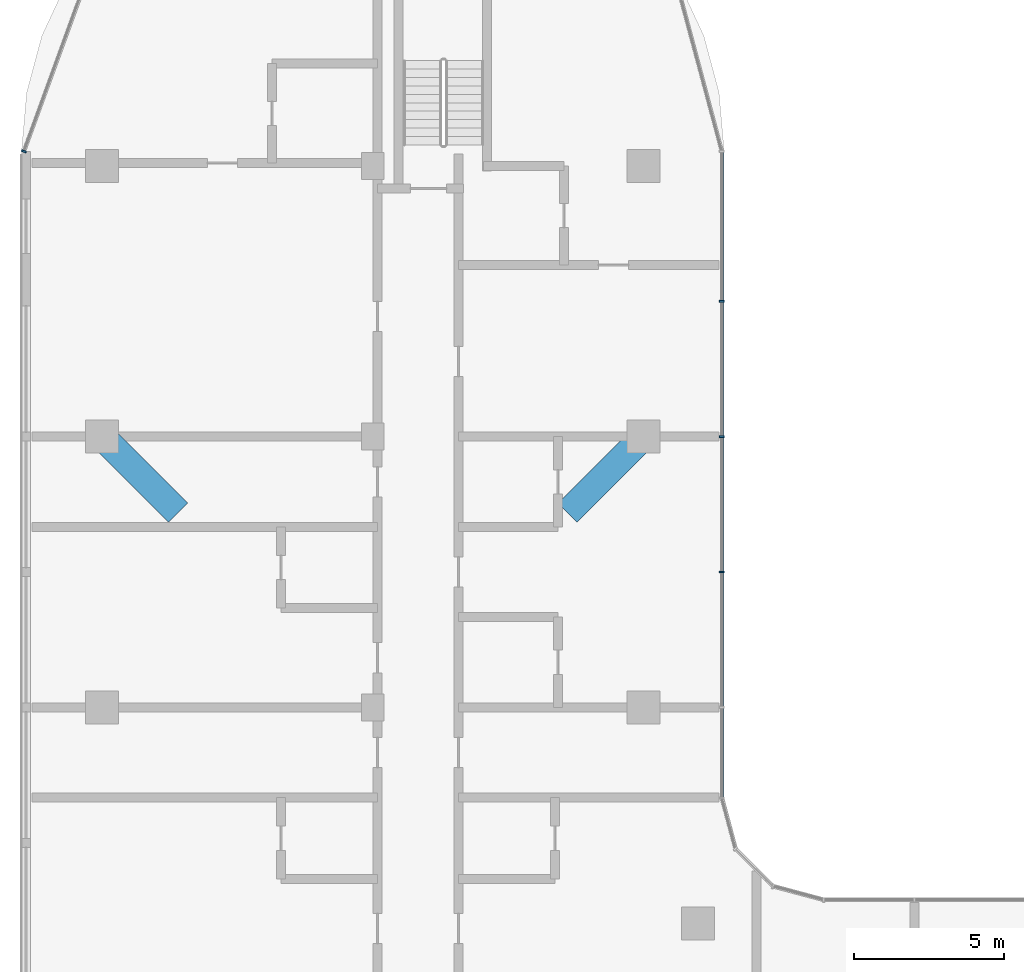
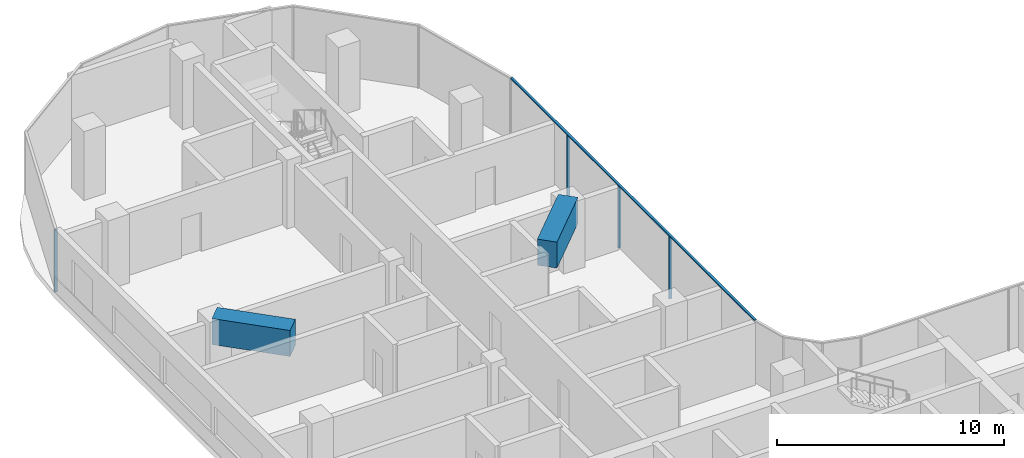
# One storey, part 6 of 23: 5 members, 2 beams, 2 elements without a shape of their own.
"""IFC4 building model written with IfcOpenShell, lengths in metres."""

from ifc_helpers import new_model, si_unit, direction, frame, origin, origin_2d, place, context, subcontext, project, spatial, rectangle, extrude, material, material_profile, profile_set, type_object, element, aggregate, save


model = new_model("IFC4")

# Units and contexts
model_context = context("Model", 3, precision=1e-05, world=origin(), true_north=direction((0.0, 1.0)))
body_context = subcontext(model_context, "Body", "Model", "MODEL_VIEW")
ifc_project = project(units=[si_unit("LENGTHUNIT", "METRE"), si_unit("AREAUNIT", "SQUARE_METRE"), si_unit("VOLUMEUNIT", "CUBIC_METRE"), si_unit("PLANEANGLEUNIT", "RADIAN"), si_unit("MASSUNIT", "GRAM", prefix="KILO")], contexts=[model_context])

# Site, building, storey
site_placement = place(None, origin())
site = spatial("IfcSite", under=ifc_project, at=site_placement, CompositionType="ELEMENT")
building_placement = place(site_placement, origin())
building = spatial("IfcBuilding", under=site, at=building_placement, Name="Ogive Portal Towers", CompositionType="ELEMENT")
storey_placement = place(building_placement, frame((0.0, 0.0, 186.60009765625)))
storey = spatial("IfcBuildingStorey", under=building, at=storey_placement, Name="L46", CompositionType="ELEMENT", Elevation=186.60009765625)

# Curtain wall, members
ifc_material_1 = material(Name="Glass, clear low-iron insulated glazing", Category="glass")
curtain_wall_type = type_object("IfcCurtainWallType", Name="CW FRONT RIBBON 4500", PredefinedType="NOTDEFINED", material=ifc_material_1)
curtain_wall_1_placement = place(storey_placement, origin())
curtain_wall_1 = element("IfcCurtainWall", 1, at=curtain_wall_1_placement, inside=storey, type_object=curtain_wall_type, Name="A:L46:f20:cw0", PredefinedType="NOTDEFINED")
ifc_material_2 = material(Name="Aluminium 6063 anodised", Category="aluminium")
ifc_material_profile_1 = material_profile(ifc_material_2, rectangle(XDim=0.159912109375, YDim=0.06005859375, at=origin_2d()), Name="AL 60x160")
ifc_profile_set_1 = profile_set([ifc_material_profile_1], Name="Aluminium 6063 anodised")
member_type_1 = type_object("IfcMemberType", Name="CW MULLION 60x160", PredefinedType="MULLION", material=ifc_profile_set_1)
member_1_placement = place(storey_placement, frame((52.10009765625, 53.0, 0.0), z_axis=(0.0, 0.0, 1.0), x_axis=(-1.0, 0.0, 0.0)))
member_1 = element("IfcMember", 2, at=member_1_placement, type_object=member_type_1, Name="mullion", PredefinedType="MULLION", context=body_context, shape_type="SweptSolid", body=[
    extrude(rectangle(XDim=0.159912109375, YDim=0.06005859375, at=origin_2d()), origin(), (0.0, 0.0, 1.0), 3.33984375),
])
member_2_placement = place(storey_placement, frame((52.10009765625, 57.5, 0.0), z_axis=(0.0, 0.0, 1.0), x_axis=(-1.0, 0.0, 0.0)))
member_2 = element("IfcMember", 3, at=member_2_placement, type_object=member_type_1, Name="mullion", PredefinedType="MULLION", context=body_context, shape_type="SweptSolid", body=[
    extrude(rectangle(XDim=0.159912109375, YDim=0.06005859375, at=origin_2d()), origin(), (0.0, 0.0, 1.0), 3.33984375),
])
member_3_placement = place(storey_placement, frame((52.10009765625, 62.0, 0.0), z_axis=(0.0, 0.0, 1.0), x_axis=(-1.0, 0.0, 0.0)))
member_3 = element("IfcMember", 4, at=member_3_placement, type_object=member_type_1, Name="mullion", PredefinedType="MULLION", context=body_context, shape_type="SweptSolid", body=[
    extrude(rectangle(XDim=0.159912109375, YDim=0.06005859375, at=origin_2d()), origin(), (0.0, 0.0, 1.0), 3.33984375),
])

# Curtain wall, member
curtain_wall_2_placement = place(storey_placement, origin())
curtain_wall_2 = element("IfcCurtainWall", 5, at=curtain_wall_2_placement, inside=storey, type_object=curtain_wall_type, Name="A:L46:f21:cwa", PredefinedType="NOTDEFINED")
member_4_placement = place(storey_placement, frame((28.89990234375, 66.98583984375, 0.0), z_axis=(0.0, 0.0, 1.0), x_axis=(0.939692620786, -0.342020143326, 0.0)))
member_4 = element("IfcMember", 6, at=member_4_placement, type_object=member_type_1, Name="mullion", PredefinedType="MULLION", context=body_context, shape_type="SweptSolid", body=[
    extrude(rectangle(XDim=0.159912109375, YDim=0.06005859375, at=origin_2d()), origin(), (0.0, 0.0, 1.0), 3.33984375),
])
aggregate(curtain_wall_2, [member_4])

# Member
ifc_material_profile_2 = material_profile(ifc_material_2, rectangle(XDim=0.1201171875, YDim=0.06005859375, at=origin_2d()), Name="AL 120x60")
ifc_profile_set_2 = profile_set([ifc_material_profile_2], Name="Aluminium 6063 anodised")
member_type_2 = type_object("IfcMemberType", Name="CW TRANSOM 60x120", PredefinedType="USERDEFINED", material=ifc_profile_set_2)
member_5_placement = place(storey_placement, frame((52.10009765625, 45.489501953125, 3.369873046875), z_axis=(0.0, 1.0, 0.0), x_axis=(-1.0, 0.0, 0.0)))
member_5 = element("IfcMember", 7, at=member_5_placement, type_object=member_type_2, Name="transom", ObjectType="TRANSOM", PredefinedType="USERDEFINED", context=body_context, shape_type="SweptSolid", body=[
    extrude(rectangle(XDim=0.1201171875, YDim=0.06005859375, at=origin_2d()), origin(), (0.0, 0.0, 1.0), 21.5),
])

aggregate(curtain_wall_1, [member_5, member_1, member_2, member_3])

# Beams
ifc_material_3 = material(Name="Concrete C50/60", Category="concrete")
ifc_material_profile_3 = material_profile(ifc_material_3, rectangle(XDim=0.89990234375, YDim=1.39990234375, at=origin_2d()), Name="RC 900x1400")
ifc_profile_set_3 = profile_set([ifc_material_profile_3], Name="Concrete C50/60")
beam_type = type_object("IfcBeamType", Name="TRANSFER BEAM RC 900x1400", PredefinedType="BEAM", material=ifc_profile_set_3)
for number, where, z_axis, x_axis, name in (
    (8, (31.5, 57.5, 3.0), (0.707106781187, -0.707106781187, 0.0), (0.707106781187, 0.707106781187, 0.0), "Transfer beam L47"),
    (9, (49.5, 57.5, 3.0), (-0.707106781187, -0.707106781187, 0.0), (0.707106781187, -0.707106781187, 0.0), "Transfer beam L47"),
):
    element("IfcBeam", number, at=place(storey_placement, frame(where, z_axis=z_axis, x_axis=x_axis)), inside=storey, type_object=beam_type, Name=name, PredefinedType="BEAM", context=body_context, shape_type="SweptSolid", body=[
        extrude(rectangle(XDim=0.89990234375, YDim=1.39990234375, at=origin_2d()), origin(), (0.0, 0.0, 1.0), 3.573974609375),
    ])

save(model, "model.ifc")
